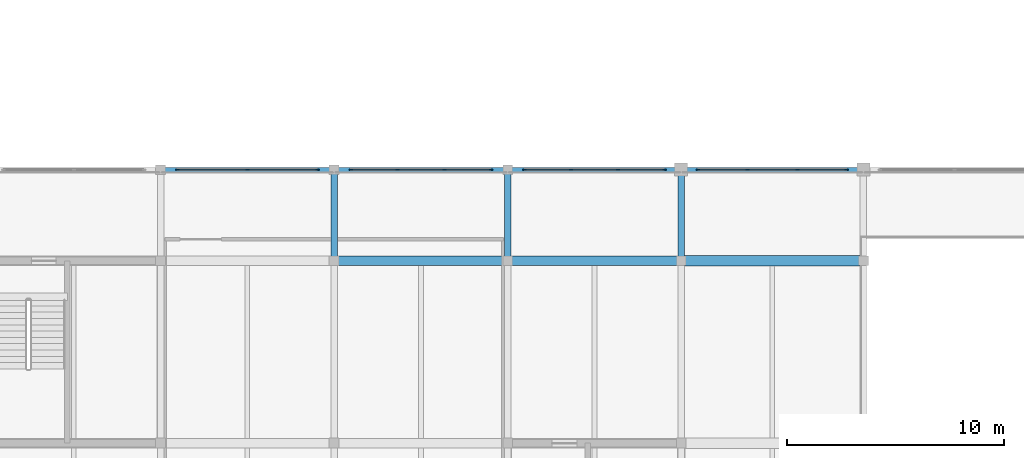
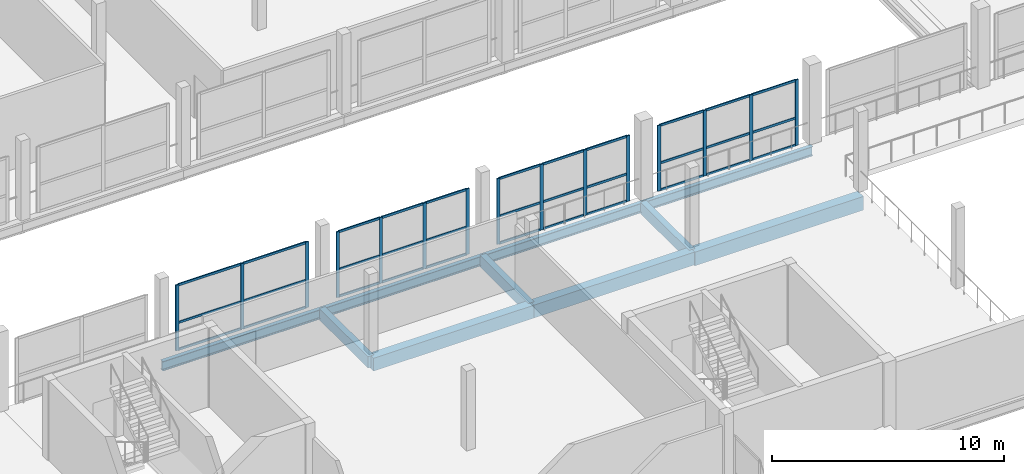
# One storey, part 22 of 53: 48 members, 10 beams, 4 elements without a shape of their own.
"""IFC4 building model written with IfcOpenShell, lengths in metres."""

from ifc_helpers import new_model, si_unit, direction, frame, origin, origin_2d, place, context, subcontext, project, spatial, rectangle, i_section, extrude, material, material_profile, profile_set, type_object, element, aggregate, save


model = new_model("IFC4")

# Units and contexts
model_context = context("Model", 3, precision=1e-05, world=origin(), true_north=direction((0.0, 1.0)))
body_context = subcontext(model_context, "Body", "Model", "MODEL_VIEW")
ifc_project = project(units=[si_unit("LENGTHUNIT", "METRE"), si_unit("AREAUNIT", "SQUARE_METRE"), si_unit("VOLUMEUNIT", "CUBIC_METRE"), si_unit("PLANEANGLEUNIT", "RADIAN"), si_unit("MASSUNIT", "GRAM", prefix="KILO")], contexts=[model_context])

# Site, building, storey
site_placement = place(None, origin())
site = spatial("IfcSite", under=ifc_project, at=site_placement, CompositionType="ELEMENT")
building_placement = place(site_placement, origin())
building = spatial("IfcBuilding", under=site, at=building_placement, Name="Vharandega Faculty of Natural Sciences", CompositionType="ELEMENT")
storey_placement = place(building_placement, frame((0.0, 0.0, 10.199951171875)))
storey = spatial("IfcBuildingStorey", under=building, at=storey_placement, Name="L02", CompositionType="ELEMENT", Elevation=10.199951171875)

# Curtain wall, members
ifc_material_1 = material(Name="Aluminium and solar-control glass curtain wall", Category="aluminium")
curtain_wall_type_1 = type_object("IfcCurtainWallType", Name="Unitised Curtain Wall System CW-04", PredefinedType="NOTDEFINED", material=ifc_material_1)
curtain_wall_1_placement = place(storey_placement, origin())
curtain_wall_1 = element("IfcCurtainWall", 1, at=curtain_wall_1_placement, inside=storey, type_object=curtain_wall_type_1, Name="Curtain Wall CW-L02-087", PredefinedType="NOTDEFINED")
ifc_material_2 = material(Name="Thermally broken aluminium 6063-T6", Category="aluminium")
ifc_material_profile_1 = material_profile(ifc_material_2, rectangle(XDim=0.06005859375, YDim=0.159912109375, at=origin_2d()), Name="ALU 60x160")
ifc_profile_set_1 = profile_set([ifc_material_profile_1], Name="Thermally broken aluminium 6063-T6")
member_type_1 = type_object("IfcMemberType", Name="CW Mullion 60x160", PredefinedType="MULLION", material=ifc_profile_set_1)
member_1_placement = place(storey_placement, frame((32.77001953125, 85.0, 0.0), z_axis=(0.0, 0.0, 1.0), x_axis=(0.0, 1.0, 0.0)))
member_1 = element("IfcMember", 2, at=member_1_placement, type_object=member_type_1, Name="CW-04 mullion 1", PredefinedType="MULLION", context=body_context, shape_type="SweptSolid", body=[
    extrude(rectangle(XDim=0.06005859375, YDim=0.159912109375, at=origin_2d()), origin(), (0.0, 0.0, 1.0), 3.4599609375),
])
member_2_placement = place(storey_placement, frame((36.0, 85.0, 0.0), z_axis=(0.0, 0.0, 1.0), x_axis=(0.0, 1.0, 0.0)))
member_2 = element("IfcMember", 3, at=member_2_placement, type_object=member_type_1, Name="CW-04 mullion 2", PredefinedType="MULLION", context=body_context, shape_type="SweptSolid", body=[
    extrude(rectangle(XDim=0.06005859375, YDim=0.159912109375, at=origin_2d()), origin(), (0.0, 0.0, 1.0), 3.4599609375),
])
member_3_placement = place(storey_placement, frame((39.22998046875, 85.0, 0.0), z_axis=(0.0, 0.0, 1.0), x_axis=(0.0, 1.0, 0.0)))
member_3 = element("IfcMember", 4, at=member_3_placement, type_object=member_type_1, Name="CW-04 mullion 3", PredefinedType="MULLION", context=body_context, shape_type="SweptSolid", body=[
    extrude(rectangle(XDim=0.06005859375, YDim=0.159912109375, at=origin_2d()), origin(), (0.0, 0.0, 1.0), 3.4599609375),
])

ifc_material_3 = material(Name="Aluminium and solar-control glass curtain wall", Category="aluminium")
curtain_wall_type_2 = type_object("IfcCurtainWallType", Name="Unitised Curtain Wall System CW-05", PredefinedType="NOTDEFINED", material=ifc_material_3)
curtain_wall_2_placement = place(storey_placement, origin())
curtain_wall_2 = element("IfcCurtainWall", 5, at=curtain_wall_2_placement, inside=storey, type_object=curtain_wall_type_2, Name="Curtain Wall CW-L02-088", PredefinedType="NOTDEFINED")
member_4_placement = place(storey_placement, frame((40.77001953125, 85.0, 0.0), z_axis=(0.0, 0.0, 1.0), x_axis=(0.0, 1.0, 0.0)))
member_4 = element("IfcMember", 6, at=member_4_placement, type_object=member_type_1, Name="CW-05 mullion 1", PredefinedType="MULLION", context=body_context, shape_type="SweptSolid", body=[
    extrude(rectangle(XDim=0.06005859375, YDim=0.159912109375, at=origin_2d()), origin(), (0.0, 0.0, 1.0), 3.4599609375),
])
member_5_placement = place(storey_placement, frame((42.913330078125, 85.0, 0.0), z_axis=(0.0, 0.0, 1.0), x_axis=(0.0, 1.0, 0.0)))
member_5 = element("IfcMember", 7, at=member_5_placement, type_object=member_type_1, Name="CW-05 mullion 2", PredefinedType="MULLION", context=body_context, shape_type="SweptSolid", body=[
    extrude(rectangle(XDim=0.06005859375, YDim=0.159912109375, at=origin_2d()), origin(), (0.0, 0.0, 1.0), 3.4599609375),
])
member_6_placement = place(storey_placement, frame((45.086669921875, 85.0, 0.0), z_axis=(0.0, 0.0, 1.0), x_axis=(0.0, 1.0, 0.0)))
member_6 = element("IfcMember", 8, at=member_6_placement, type_object=member_type_1, Name="CW-05 mullion 3", PredefinedType="MULLION", context=body_context, shape_type="SweptSolid", body=[
    extrude(rectangle(XDim=0.06005859375, YDim=0.159912109375, at=origin_2d()), origin(), (0.0, 0.0, 1.0), 3.4599609375),
])
member_7_placement = place(storey_placement, frame((47.22998046875, 85.0, 0.0), z_axis=(0.0, 0.0, 1.0), x_axis=(0.0, 1.0, 0.0)))
member_7 = element("IfcMember", 9, at=member_7_placement, type_object=member_type_1, Name="CW-05 mullion 4", PredefinedType="MULLION", context=body_context, shape_type="SweptSolid", body=[
    extrude(rectangle(XDim=0.06005859375, YDim=0.159912109375, at=origin_2d()), origin(), (0.0, 0.0, 1.0), 3.4599609375),
])

ifc_material_4 = material(Name="Aluminium and solar-control glass curtain wall", Category="aluminium")
curtain_wall_type_3 = type_object("IfcCurtainWallType", Name="Unitised Curtain Wall System CW-06", PredefinedType="NOTDEFINED", material=ifc_material_4)
curtain_wall_3_placement = place(storey_placement, origin())
curtain_wall_3 = element("IfcCurtainWall", 10, at=curtain_wall_3_placement, inside=storey, type_object=curtain_wall_type_3, Name="Curtain Wall CW-L02-089", PredefinedType="NOTDEFINED")
member_8_placement = place(storey_placement, frame((48.77001953125, 85.0, 0.0), z_axis=(0.0, 0.0, 1.0), x_axis=(0.0, 1.0, 0.0)))
member_8 = element("IfcMember", 11, at=member_8_placement, type_object=member_type_1, Name="CW-06 mullion 1", PredefinedType="MULLION", context=body_context, shape_type="SweptSolid", body=[
    extrude(rectangle(XDim=0.06005859375, YDim=0.159912109375, at=origin_2d()), origin(), (0.0, 0.0, 1.0), 3.4599609375),
])
member_9_placement = place(storey_placement, frame((50.913330078125, 85.0, 0.0), z_axis=(0.0, 0.0, 1.0), x_axis=(0.0, 1.0, 0.0)))
member_9 = element("IfcMember", 12, at=member_9_placement, type_object=member_type_1, Name="CW-06 mullion 2", PredefinedType="MULLION", context=body_context, shape_type="SweptSolid", body=[
    extrude(rectangle(XDim=0.06005859375, YDim=0.159912109375, at=origin_2d()), origin(), (0.0, 0.0, 1.0), 3.4599609375),
])
member_10_placement = place(storey_placement, frame((53.086669921875, 85.0, 0.0), z_axis=(0.0, 0.0, 1.0), x_axis=(0.0, 1.0, 0.0)))
member_10 = element("IfcMember", 13, at=member_10_placement, type_object=member_type_1, Name="CW-06 mullion 3", PredefinedType="MULLION", context=body_context, shape_type="SweptSolid", body=[
    extrude(rectangle(XDim=0.06005859375, YDim=0.159912109375, at=origin_2d()), origin(), (0.0, 0.0, 1.0), 3.4599609375),
])
member_11_placement = place(storey_placement, frame((55.22998046875, 85.0, 0.0), z_axis=(0.0, 0.0, 1.0), x_axis=(0.0, 1.0, 0.0)))
member_11 = element("IfcMember", 14, at=member_11_placement, type_object=member_type_1, Name="CW-06 mullion 4", PredefinedType="MULLION", context=body_context, shape_type="SweptSolid", body=[
    extrude(rectangle(XDim=0.06005859375, YDim=0.159912109375, at=origin_2d()), origin(), (0.0, 0.0, 1.0), 3.4599609375),
])

ifc_material_5 = material(Name="Aluminium and solar-control glass curtain wall", Category="aluminium")
curtain_wall_type_4 = type_object("IfcCurtainWallType", Name="Unitised Curtain Wall System CW-07", PredefinedType="NOTDEFINED", material=ifc_material_5)
curtain_wall_4_placement = place(storey_placement, origin())
curtain_wall_4 = element("IfcCurtainWall", 15, at=curtain_wall_4_placement, inside=storey, type_object=curtain_wall_type_4, Name="Curtain Wall CW-L02-090", PredefinedType="NOTDEFINED")
member_12_placement = place(storey_placement, frame((56.77001953125, 85.0, 0.0), z_axis=(0.0, 0.0, 1.0), x_axis=(0.0, 1.0, 0.0)))
member_12 = element("IfcMember", 16, at=member_12_placement, type_object=member_type_1, Name="CW-07 mullion 1", PredefinedType="MULLION", context=body_context, shape_type="SweptSolid", body=[
    extrude(rectangle(XDim=0.06005859375, YDim=0.159912109375, at=origin_2d()), origin(), (0.0, 0.0, 1.0), 3.4599609375),
])
member_13_placement = place(storey_placement, frame((59.046630859375, 85.0, 0.0), z_axis=(0.0, 0.0, 1.0), x_axis=(0.0, 1.0, 0.0)))
member_13 = element("IfcMember", 17, at=member_13_placement, type_object=member_type_1, Name="CW-07 mullion 2", PredefinedType="MULLION", context=body_context, shape_type="SweptSolid", body=[
    extrude(rectangle(XDim=0.06005859375, YDim=0.159912109375, at=origin_2d()), origin(), (0.0, 0.0, 1.0), 3.4599609375),
])
member_14_placement = place(storey_placement, frame((61.353271484375, 85.0, 0.0), z_axis=(0.0, 0.0, 1.0), x_axis=(0.0, 1.0, 0.0)))
member_14 = element("IfcMember", 18, at=member_14_placement, type_object=member_type_1, Name="CW-07 mullion 3", PredefinedType="MULLION", context=body_context, shape_type="SweptSolid", body=[
    extrude(rectangle(XDim=0.06005859375, YDim=0.159912109375, at=origin_2d()), origin(), (0.0, 0.0, 1.0), 3.4599609375),
])
member_15_placement = place(storey_placement, frame((63.6298828125, 85.0, 0.0), z_axis=(0.0, 0.0, 1.0), x_axis=(0.0, 1.0, 0.0)))
member_15 = element("IfcMember", 19, at=member_15_placement, type_object=member_type_1, Name="CW-07 mullion 4", PredefinedType="MULLION", context=body_context, shape_type="SweptSolid", body=[
    extrude(rectangle(XDim=0.06005859375, YDim=0.159912109375, at=origin_2d()), origin(), (0.0, 0.0, 1.0), 3.4599609375),
])

# Member
ifc_material_6 = material(Name="Thermally broken aluminium 6063-T6", Category="aluminium")
ifc_material_profile_2 = material_profile(ifc_material_6, rectangle(XDim=0.06005859375, YDim=0.1201171875, at=origin_2d()), Name="ALU 60x120")
ifc_profile_set_2 = profile_set([ifc_material_profile_2], Name="Thermally broken aluminium 6063-T6")
member_type_2 = type_object("IfcMemberType", Name="CW Transom 60x120", PredefinedType="USERDEFINED", material=ifc_profile_set_2)
member_16_placement = place(storey_placement, frame((32.800048828125, 85.0, 0.030029296875), z_axis=(1.0, 0.0, 0.0), x_axis=(0.0, 1.0, 0.0)))
member_16 = element("IfcMember", 20, at=member_16_placement, type_object=member_type_2, Name="CW-04 transom 1.1", ObjectType="TRANSOM", PredefinedType="USERDEFINED", context=body_context, shape_type="SweptSolid", body=[
    extrude(rectangle(XDim=0.06005859375, YDim=0.1201171875, at=origin_2d()), origin(), (0.0, 0.0, 1.0), 3.169921875),
])

member_17_placement = place(storey_placement, frame((32.800048828125, 85.0, 1.453369140625), z_axis=(1.0, 0.0, 0.0), x_axis=(0.0, 1.0, 0.0)))
member_17 = element("IfcMember", 21, at=member_17_placement, type_object=member_type_2, Name="CW-04 transom 1.2", ObjectType="TRANSOM", PredefinedType="USERDEFINED", context=body_context, shape_type="SweptSolid", body=[
    extrude(rectangle(XDim=0.06005859375, YDim=0.1201171875, at=origin_2d()), origin(), (0.0, 0.0, 1.0), 3.169921875),
])

member_18_placement = place(storey_placement, frame((32.800048828125, 85.0, 3.429931640625), z_axis=(1.0, 0.0, 0.0), x_axis=(0.0, 1.0, 0.0)))
member_18 = element("IfcMember", 22, at=member_18_placement, type_object=member_type_2, Name="CW-04 transom 1.3", ObjectType="TRANSOM", PredefinedType="USERDEFINED", context=body_context, shape_type="SweptSolid", body=[
    extrude(rectangle(XDim=0.06005859375, YDim=0.1201171875, at=origin_2d()), origin(), (0.0, 0.0, 1.0), 3.169921875),
])

member_19_placement = place(storey_placement, frame((36.030029296875, 85.0, 0.030029296875), z_axis=(1.0, 0.0, 0.0), x_axis=(0.0, 1.0, 0.0)))
member_19 = element("IfcMember", 23, at=member_19_placement, type_object=member_type_2, Name="CW-04 transom 2.1", ObjectType="TRANSOM", PredefinedType="USERDEFINED", context=body_context, shape_type="SweptSolid", body=[
    extrude(rectangle(XDim=0.06005859375, YDim=0.1201171875, at=origin_2d()), origin(), (0.0, 0.0, 1.0), 3.169921875),
])

member_20_placement = place(storey_placement, frame((36.030029296875, 85.0, 1.453369140625), z_axis=(1.0, 0.0, 0.0), x_axis=(0.0, 1.0, 0.0)))
member_20 = element("IfcMember", 24, at=member_20_placement, type_object=member_type_2, Name="CW-04 transom 2.2", ObjectType="TRANSOM", PredefinedType="USERDEFINED", context=body_context, shape_type="SweptSolid", body=[
    extrude(rectangle(XDim=0.06005859375, YDim=0.1201171875, at=origin_2d()), origin(), (0.0, 0.0, 1.0), 3.169921875),
])

member_21_placement = place(storey_placement, frame((36.030029296875, 85.0, 3.429931640625), z_axis=(1.0, 0.0, 0.0), x_axis=(0.0, 1.0, 0.0)))
member_21 = element("IfcMember", 25, at=member_21_placement, type_object=member_type_2, Name="CW-04 transom 2.3", ObjectType="TRANSOM", PredefinedType="USERDEFINED", context=body_context, shape_type="SweptSolid", body=[
    extrude(rectangle(XDim=0.06005859375, YDim=0.1201171875, at=origin_2d()), origin(), (0.0, 0.0, 1.0), 3.169921875),
])

aggregate(curtain_wall_1, [member_1, member_2, member_3, member_16, member_17, member_18, member_19, member_20, member_21])

member_22_placement = place(storey_placement, frame((40.800048828125, 85.0, 0.030029296875), z_axis=(1.0, 0.0, 0.0), x_axis=(0.0, 1.0, 0.0)))
member_22 = element("IfcMember", 26, at=member_22_placement, type_object=member_type_2, Name="CW-05 transom 1.1", ObjectType="TRANSOM", PredefinedType="USERDEFINED", context=body_context, shape_type="SweptSolid", body=[
    extrude(rectangle(XDim=0.06005859375, YDim=0.1201171875, at=origin_2d()), origin(), (0.0, 0.0, 1.0), 2.083251953125),
])

member_23_placement = place(storey_placement, frame((40.800048828125, 85.0, 1.453369140625), z_axis=(1.0, 0.0, 0.0), x_axis=(0.0, 1.0, 0.0)))
member_23 = element("IfcMember", 27, at=member_23_placement, type_object=member_type_2, Name="CW-05 transom 1.2", ObjectType="TRANSOM", PredefinedType="USERDEFINED", context=body_context, shape_type="SweptSolid", body=[
    extrude(rectangle(XDim=0.06005859375, YDim=0.1201171875, at=origin_2d()), origin(), (0.0, 0.0, 1.0), 2.083251953125),
])

member_24_placement = place(storey_placement, frame((40.800048828125, 85.0, 3.429931640625), z_axis=(1.0, 0.0, 0.0), x_axis=(0.0, 1.0, 0.0)))
member_24 = element("IfcMember", 28, at=member_24_placement, type_object=member_type_2, Name="CW-05 transom 1.3", ObjectType="TRANSOM", PredefinedType="USERDEFINED", context=body_context, shape_type="SweptSolid", body=[
    extrude(rectangle(XDim=0.06005859375, YDim=0.1201171875, at=origin_2d()), origin(), (0.0, 0.0, 1.0), 2.083251953125),
])

member_25_placement = place(storey_placement, frame((42.943359375, 85.0, 0.030029296875), z_axis=(1.0, 0.0, 0.0), x_axis=(0.0, 1.0, 0.0)))
member_25 = element("IfcMember", 29, at=member_25_placement, type_object=member_type_2, Name="CW-05 transom 2.1", ObjectType="TRANSOM", PredefinedType="USERDEFINED", context=body_context, shape_type="SweptSolid", body=[
    extrude(rectangle(XDim=0.06005859375, YDim=0.1201171875, at=origin_2d()), origin(), (0.0, 0.0, 1.0), 2.11328125),
])

member_26_placement = place(storey_placement, frame((42.943359375, 85.0, 1.453369140625), z_axis=(1.0, 0.0, 0.0), x_axis=(0.0, 1.0, 0.0)))
member_26 = element("IfcMember", 30, at=member_26_placement, type_object=member_type_2, Name="CW-05 transom 2.2", ObjectType="TRANSOM", PredefinedType="USERDEFINED", context=body_context, shape_type="SweptSolid", body=[
    extrude(rectangle(XDim=0.06005859375, YDim=0.1201171875, at=origin_2d()), origin(), (0.0, 0.0, 1.0), 2.11328125),
])

member_27_placement = place(storey_placement, frame((42.943359375, 85.0, 3.429931640625), z_axis=(1.0, 0.0, 0.0), x_axis=(0.0, 1.0, 0.0)))
member_27 = element("IfcMember", 31, at=member_27_placement, type_object=member_type_2, Name="CW-05 transom 2.3", ObjectType="TRANSOM", PredefinedType="USERDEFINED", context=body_context, shape_type="SweptSolid", body=[
    extrude(rectangle(XDim=0.06005859375, YDim=0.1201171875, at=origin_2d()), origin(), (0.0, 0.0, 1.0), 2.11328125),
])

member_28_placement = place(storey_placement, frame((45.11669921875, 85.0, 0.030029296875), z_axis=(1.0, 0.0, 0.0), x_axis=(0.0, 1.0, 0.0)))
member_28 = element("IfcMember", 32, at=member_28_placement, type_object=member_type_2, Name="CW-05 transom 3.1", ObjectType="TRANSOM", PredefinedType="USERDEFINED", context=body_context, shape_type="SweptSolid", body=[
    extrude(rectangle(XDim=0.06005859375, YDim=0.1201171875, at=origin_2d()), origin(), (0.0, 0.0, 1.0), 2.083251953125),
])

member_29_placement = place(storey_placement, frame((45.11669921875, 85.0, 1.453369140625), z_axis=(1.0, 0.0, 0.0), x_axis=(0.0, 1.0, 0.0)))
member_29 = element("IfcMember", 33, at=member_29_placement, type_object=member_type_2, Name="CW-05 transom 3.2", ObjectType="TRANSOM", PredefinedType="USERDEFINED", context=body_context, shape_type="SweptSolid", body=[
    extrude(rectangle(XDim=0.06005859375, YDim=0.1201171875, at=origin_2d()), origin(), (0.0, 0.0, 1.0), 2.083251953125),
])

member_30_placement = place(storey_placement, frame((45.11669921875, 85.0, 3.429931640625), z_axis=(1.0, 0.0, 0.0), x_axis=(0.0, 1.0, 0.0)))
member_30 = element("IfcMember", 34, at=member_30_placement, type_object=member_type_2, Name="CW-05 transom 3.3", ObjectType="TRANSOM", PredefinedType="USERDEFINED", context=body_context, shape_type="SweptSolid", body=[
    extrude(rectangle(XDim=0.06005859375, YDim=0.1201171875, at=origin_2d()), origin(), (0.0, 0.0, 1.0), 2.083251953125),
])

aggregate(curtain_wall_2, [member_4, member_5, member_6, member_7, member_22, member_23, member_24, member_25, member_26, member_27, member_28, member_29, member_30])

member_31_placement = place(storey_placement, frame((48.800048828125, 85.0, 0.030029296875), z_axis=(1.0, 0.0, 0.0), x_axis=(0.0, 1.0, 0.0)))
member_31 = element("IfcMember", 35, at=member_31_placement, type_object=member_type_2, Name="CW-06 transom 1.1", ObjectType="TRANSOM", PredefinedType="USERDEFINED", context=body_context, shape_type="SweptSolid", body=[
    extrude(rectangle(XDim=0.06005859375, YDim=0.1201171875, at=origin_2d()), origin(), (0.0, 0.0, 1.0), 2.083251953125),
])

member_32_placement = place(storey_placement, frame((48.800048828125, 85.0, 1.453369140625), z_axis=(1.0, 0.0, 0.0), x_axis=(0.0, 1.0, 0.0)))
member_32 = element("IfcMember", 36, at=member_32_placement, type_object=member_type_2, Name="CW-06 transom 1.2", ObjectType="TRANSOM", PredefinedType="USERDEFINED", context=body_context, shape_type="SweptSolid", body=[
    extrude(rectangle(XDim=0.06005859375, YDim=0.1201171875, at=origin_2d()), origin(), (0.0, 0.0, 1.0), 2.083251953125),
])

member_33_placement = place(storey_placement, frame((48.800048828125, 85.0, 3.429931640625), z_axis=(1.0, 0.0, 0.0), x_axis=(0.0, 1.0, 0.0)))
member_33 = element("IfcMember", 37, at=member_33_placement, type_object=member_type_2, Name="CW-06 transom 1.3", ObjectType="TRANSOM", PredefinedType="USERDEFINED", context=body_context, shape_type="SweptSolid", body=[
    extrude(rectangle(XDim=0.06005859375, YDim=0.1201171875, at=origin_2d()), origin(), (0.0, 0.0, 1.0), 2.083251953125),
])

member_34_placement = place(storey_placement, frame((50.943359375, 85.0, 0.030029296875), z_axis=(1.0, 0.0, 0.0), x_axis=(0.0, 1.0, 0.0)))
member_34 = element("IfcMember", 38, at=member_34_placement, type_object=member_type_2, Name="CW-06 transom 2.1", ObjectType="TRANSOM", PredefinedType="USERDEFINED", context=body_context, shape_type="SweptSolid", body=[
    extrude(rectangle(XDim=0.06005859375, YDim=0.1201171875, at=origin_2d()), origin(), (0.0, 0.0, 1.0), 2.11328125),
])

member_35_placement = place(storey_placement, frame((50.943359375, 85.0, 1.453369140625), z_axis=(1.0, 0.0, 0.0), x_axis=(0.0, 1.0, 0.0)))
member_35 = element("IfcMember", 39, at=member_35_placement, type_object=member_type_2, Name="CW-06 transom 2.2", ObjectType="TRANSOM", PredefinedType="USERDEFINED", context=body_context, shape_type="SweptSolid", body=[
    extrude(rectangle(XDim=0.06005859375, YDim=0.1201171875, at=origin_2d()), origin(), (0.0, 0.0, 1.0), 2.11328125),
])

member_36_placement = place(storey_placement, frame((50.943359375, 85.0, 3.429931640625), z_axis=(1.0, 0.0, 0.0), x_axis=(0.0, 1.0, 0.0)))
member_36 = element("IfcMember", 40, at=member_36_placement, type_object=member_type_2, Name="CW-06 transom 2.3", ObjectType="TRANSOM", PredefinedType="USERDEFINED", context=body_context, shape_type="SweptSolid", body=[
    extrude(rectangle(XDim=0.06005859375, YDim=0.1201171875, at=origin_2d()), origin(), (0.0, 0.0, 1.0), 2.11328125),
])

member_37_placement = place(storey_placement, frame((53.11669921875, 85.0, 0.030029296875), z_axis=(1.0, 0.0, 0.0), x_axis=(0.0, 1.0, 0.0)))
member_37 = element("IfcMember", 41, at=member_37_placement, type_object=member_type_2, Name="CW-06 transom 3.1", ObjectType="TRANSOM", PredefinedType="USERDEFINED", context=body_context, shape_type="SweptSolid", body=[
    extrude(rectangle(XDim=0.06005859375, YDim=0.1201171875, at=origin_2d()), origin(), (0.0, 0.0, 1.0), 2.083251953125),
])

member_38_placement = place(storey_placement, frame((53.11669921875, 85.0, 1.453369140625), z_axis=(1.0, 0.0, 0.0), x_axis=(0.0, 1.0, 0.0)))
member_38 = element("IfcMember", 42, at=member_38_placement, type_object=member_type_2, Name="CW-06 transom 3.2", ObjectType="TRANSOM", PredefinedType="USERDEFINED", context=body_context, shape_type="SweptSolid", body=[
    extrude(rectangle(XDim=0.06005859375, YDim=0.1201171875, at=origin_2d()), origin(), (0.0, 0.0, 1.0), 2.083251953125),
])

member_39_placement = place(storey_placement, frame((53.11669921875, 85.0, 3.429931640625), z_axis=(1.0, 0.0, 0.0), x_axis=(0.0, 1.0, 0.0)))
member_39 = element("IfcMember", 43, at=member_39_placement, type_object=member_type_2, Name="CW-06 transom 3.3", ObjectType="TRANSOM", PredefinedType="USERDEFINED", context=body_context, shape_type="SweptSolid", body=[
    extrude(rectangle(XDim=0.06005859375, YDim=0.1201171875, at=origin_2d()), origin(), (0.0, 0.0, 1.0), 2.083251953125),
])

aggregate(curtain_wall_3, [member_8, member_9, member_10, member_11, member_31, member_32, member_33, member_34, member_35, member_36, member_37, member_38, member_39])

member_40_placement = place(storey_placement, frame((56.800048828125, 85.0, 0.030029296875), z_axis=(1.0, 0.0, 0.0), x_axis=(0.0, 1.0, 0.0)))
member_40 = element("IfcMember", 44, at=member_40_placement, type_object=member_type_2, Name="CW-07 transom 1.1", ObjectType="TRANSOM", PredefinedType="USERDEFINED", context=body_context, shape_type="SweptSolid", body=[
    extrude(rectangle(XDim=0.06005859375, YDim=0.1201171875, at=origin_2d()), origin(), (0.0, 0.0, 1.0), 2.216552734375),
])

member_41_placement = place(storey_placement, frame((56.800048828125, 85.0, 1.453369140625), z_axis=(1.0, 0.0, 0.0), x_axis=(0.0, 1.0, 0.0)))
member_41 = element("IfcMember", 45, at=member_41_placement, type_object=member_type_2, Name="CW-07 transom 1.2", ObjectType="TRANSOM", PredefinedType="USERDEFINED", context=body_context, shape_type="SweptSolid", body=[
    extrude(rectangle(XDim=0.06005859375, YDim=0.1201171875, at=origin_2d()), origin(), (0.0, 0.0, 1.0), 2.216552734375),
])

member_42_placement = place(storey_placement, frame((56.800048828125, 85.0, 3.429931640625), z_axis=(1.0, 0.0, 0.0), x_axis=(0.0, 1.0, 0.0)))
member_42 = element("IfcMember", 46, at=member_42_placement, type_object=member_type_2, Name="CW-07 transom 1.3", ObjectType="TRANSOM", PredefinedType="USERDEFINED", context=body_context, shape_type="SweptSolid", body=[
    extrude(rectangle(XDim=0.06005859375, YDim=0.1201171875, at=origin_2d()), origin(), (0.0, 0.0, 1.0), 2.216552734375),
])

member_43_placement = place(storey_placement, frame((59.07666015625, 85.0, 0.030029296875), z_axis=(1.0, 0.0, 0.0), x_axis=(0.0, 1.0, 0.0)))
member_43 = element("IfcMember", 47, at=member_43_placement, type_object=member_type_2, Name="CW-07 transom 2.1", ObjectType="TRANSOM", PredefinedType="USERDEFINED", context=body_context, shape_type="SweptSolid", body=[
    extrude(rectangle(XDim=0.06005859375, YDim=0.1201171875, at=origin_2d()), origin(), (0.0, 0.0, 1.0), 2.24658203125),
])

member_44_placement = place(storey_placement, frame((59.07666015625, 85.0, 1.453369140625), z_axis=(1.0, 0.0, 0.0), x_axis=(0.0, 1.0, 0.0)))
member_44 = element("IfcMember", 48, at=member_44_placement, type_object=member_type_2, Name="CW-07 transom 2.2", ObjectType="TRANSOM", PredefinedType="USERDEFINED", context=body_context, shape_type="SweptSolid", body=[
    extrude(rectangle(XDim=0.06005859375, YDim=0.1201171875, at=origin_2d()), origin(), (0.0, 0.0, 1.0), 2.24658203125),
])

member_45_placement = place(storey_placement, frame((59.07666015625, 85.0, 3.429931640625), z_axis=(1.0, 0.0, 0.0), x_axis=(0.0, 1.0, 0.0)))
member_45 = element("IfcMember", 49, at=member_45_placement, type_object=member_type_2, Name="CW-07 transom 2.3", ObjectType="TRANSOM", PredefinedType="USERDEFINED", context=body_context, shape_type="SweptSolid", body=[
    extrude(rectangle(XDim=0.06005859375, YDim=0.1201171875, at=origin_2d()), origin(), (0.0, 0.0, 1.0), 2.24658203125),
])

member_46_placement = place(storey_placement, frame((61.38330078125, 85.0, 0.030029296875), z_axis=(1.0, 0.0, 0.0), x_axis=(0.0, 1.0, 0.0)))
member_46 = element("IfcMember", 50, at=member_46_placement, type_object=member_type_2, Name="CW-07 transom 3.1", ObjectType="TRANSOM", PredefinedType="USERDEFINED", context=body_context, shape_type="SweptSolid", body=[
    extrude(rectangle(XDim=0.06005859375, YDim=0.1201171875, at=origin_2d()), origin(), (0.0, 0.0, 1.0), 2.216796875),
])

member_47_placement = place(storey_placement, frame((61.38330078125, 85.0, 1.453369140625), z_axis=(1.0, 0.0, 0.0), x_axis=(0.0, 1.0, 0.0)))
member_47 = element("IfcMember", 51, at=member_47_placement, type_object=member_type_2, Name="CW-07 transom 3.2", ObjectType="TRANSOM", PredefinedType="USERDEFINED", context=body_context, shape_type="SweptSolid", body=[
    extrude(rectangle(XDim=0.06005859375, YDim=0.1201171875, at=origin_2d()), origin(), (0.0, 0.0, 1.0), 2.216796875),
])

member_48_placement = place(storey_placement, frame((61.38330078125, 85.0, 3.429931640625), z_axis=(1.0, 0.0, 0.0), x_axis=(0.0, 1.0, 0.0)))
member_48 = element("IfcMember", 52, at=member_48_placement, type_object=member_type_2, Name="CW-07 transom 3.3", ObjectType="TRANSOM", PredefinedType="USERDEFINED", context=body_context, shape_type="SweptSolid", body=[
    extrude(rectangle(XDim=0.06005859375, YDim=0.1201171875, at=origin_2d()), origin(), (0.0, 0.0, 1.0), 2.216796875),
])

aggregate(curtain_wall_4, [member_12, member_13, member_14, member_15, member_40, member_41, member_42, member_43, member_44, member_45, member_46, member_47, member_48])

# Beams
ifc_material_7 = material(Name="Glulam GL28h", Category="wood")
ifc_material_profile_3 = material_profile(ifc_material_7, rectangle(XDim=0.300048828125, YDim=0.60009765625, at=origin_2d()), Name="GL28h 300x600")
ifc_profile_set_3 = profile_set([ifc_material_profile_3], Name="Glulam GL28h")
beam_type_1 = type_object("IfcBeamType", Name="Glulam Floor Beam 300x600", PredefinedType="BEAM", material=ifc_profile_set_3)
for number, where, z_axis, x_axis, name in (
    (53, (40.0, 80.800048828125, -0.579833984375), (0.0, 1.0, 0.0), (-1.0, 0.0, 0.0), "Beam L02 6/L-M"),
    (54, (48.0, 80.800048828125, -0.579833984375), (0.0, 1.0, 0.0), (-1.0, 0.0, 0.0), "Beam L02 7/L-M"),
    (55, (56.0, 80.800048828125, -0.579833984375), (0.0, 1.0, 0.0), (-1.0, 0.0, 0.0), "Beam L02 8/L-M"),
):
    element("IfcBeam", number, at=place(storey_placement, frame(where, z_axis=z_axis, x_axis=x_axis)), inside=storey, type_object=beam_type_1, Name=name, PredefinedType="BEAM", context=body_context, shape_type="SweptSolid", body=[
        extrude(rectangle(XDim=0.300048828125, YDim=0.60009765625, at=origin_2d()), origin(), (0.0, 0.0, 1.0), 4.199951171875),
    ])
ifc_material_8 = material(Name="Glulam GL32h", Category="wood")
ifc_material_profile_4 = material_profile(ifc_material_8, rectangle(XDim=0.43994140625, YDim=0.679931640625, at=origin_2d()), Name="GL32h 440x680")
ifc_profile_set_4 = profile_set([ifc_material_profile_4], Name="Glulam GL32h")
beam_type_2 = type_object("IfcBeamType", Name="Glulam Girder 440x680", PredefinedType="BEAM", material=ifc_profile_set_4)
for number, where, z_axis, x_axis, name in (
    (56, (40.0, 80.800048828125, -0.619873046875), (1.0, 0.0, 0.0), (0.0, 1.0, 0.0), "Beam L02 L/6-7"),
    (57, (48.0, 80.800048828125, -0.619873046875), (1.0, 0.0, 0.0), (0.0, 1.0, 0.0), "Beam L02 L/7-8"),
):
    element("IfcBeam", number, at=place(storey_placement, frame(where, z_axis=z_axis, x_axis=x_axis)), inside=storey, type_object=beam_type_2, Name=name, PredefinedType="BEAM", context=body_context, shape_type="SweptSolid", body=[
        extrude(rectangle(XDim=0.43994140625, YDim=0.679931640625, at=origin_2d()), origin(), (0.0, 0.0, 1.0), 8.0),
    ])
ifc_material_9 = material(Name="Glulam GL32h", Category="wood")
ifc_material_profile_5 = material_profile(ifc_material_9, rectangle(XDim=0.47998046875, YDim=0.719970703125, at=origin_2d()), Name="GL32h 480x720")
ifc_profile_set_5 = profile_set([ifc_material_profile_5], Name="Glulam GL32h")
beam_type_3 = type_object("IfcBeamType", Name="Glulam Primary Girder 480x720", PredefinedType="BEAM", material=ifc_profile_set_5)
beam_1_placement = place(storey_placement, frame((56.0, 80.800048828125, -0.639892578125), z_axis=(1.0, 0.0, 0.0), x_axis=(0.0, 1.0, 0.0)))
element("IfcBeam", 58, at=beam_1_placement, inside=storey, type_object=beam_type_3, Name="Beam L02 L/8-9", PredefinedType="BEAM", context=body_context, shape_type="SweptSolid", body=[
    extrude(rectangle(XDim=0.47998046875, YDim=0.719970703125, at=origin_2d()), origin(), (0.0, 0.0, 1.0), 8.39990234375),
])
ifc_material_10 = material(Name="Steel S355", Category="steel")
ifc_material_profile_6 = material_profile(ifc_material_10, i_section(OverallWidth=0.199951171875, OverallDepth=0.5, WebThickness=0.01025390625, FlangeThickness=0.01611328125, FilletRadius=0.02099609375, at=origin_2d()), Name="IPE 500")
ifc_profile_set_6 = profile_set([ifc_material_profile_6], Name="Steel S355")
beam_type_4 = type_object("IfcBeamType", Name="Steel Spandrel Beam IPE 500", PredefinedType="SPANDREL", material=ifc_profile_set_6)
for number, where, z_axis, x_axis, name in (
    (59, (32.0, 85.0, -0.530029296875), (1.0, 0.0, 0.0), (0.0, 1.0, 0.0), "Beam L02 M/5-6"),
    (60, (40.0, 85.0, -0.530029296875), (1.0, 0.0, 0.0), (0.0, 1.0, 0.0), "Beam L02 M/6-7"),
    (61, (48.0, 85.0, -0.530029296875), (1.0, 0.0, 0.0), (0.0, 1.0, 0.0), "Beam L02 M/7-8"),
):
    element("IfcBeam", number, at=place(storey_placement, frame(where, z_axis=z_axis, x_axis=x_axis)), inside=storey, type_object=beam_type_4, Name=name, PredefinedType="SPANDREL", context=body_context, shape_type="SweptSolid", body=[
        extrude(i_section(OverallWidth=0.199951171875, OverallDepth=0.5, WebThickness=0.01025390625, FlangeThickness=0.01611328125, FilletRadius=0.02099609375, at=origin_2d()), origin(), (0.0, 0.0, 1.0), 8.0),
    ])
beam_2_placement = place(storey_placement, frame((56.0, 85.0, -0.530029296875), z_axis=(1.0, 0.0, 0.0), x_axis=(0.0, 1.0, 0.0)))
element("IfcBeam", 62, at=beam_2_placement, inside=storey, type_object=beam_type_4, Name="Beam L02 M/8-9", PredefinedType="SPANDREL", context=body_context, shape_type="SweptSolid", body=[
    extrude(i_section(OverallWidth=0.199951171875, OverallDepth=0.5, WebThickness=0.01025390625, FlangeThickness=0.01611328125, FilletRadius=0.02099609375, at=origin_2d()), origin(), (0.0, 0.0, 1.0), 8.39990234375),
])

save(model, "model.ifc")
